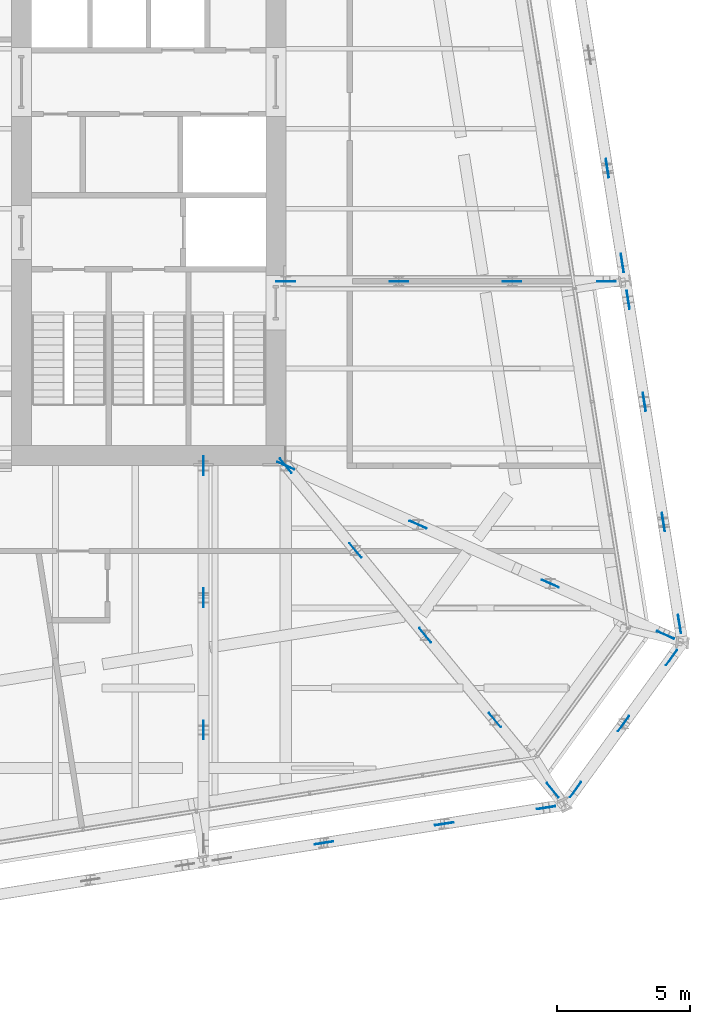
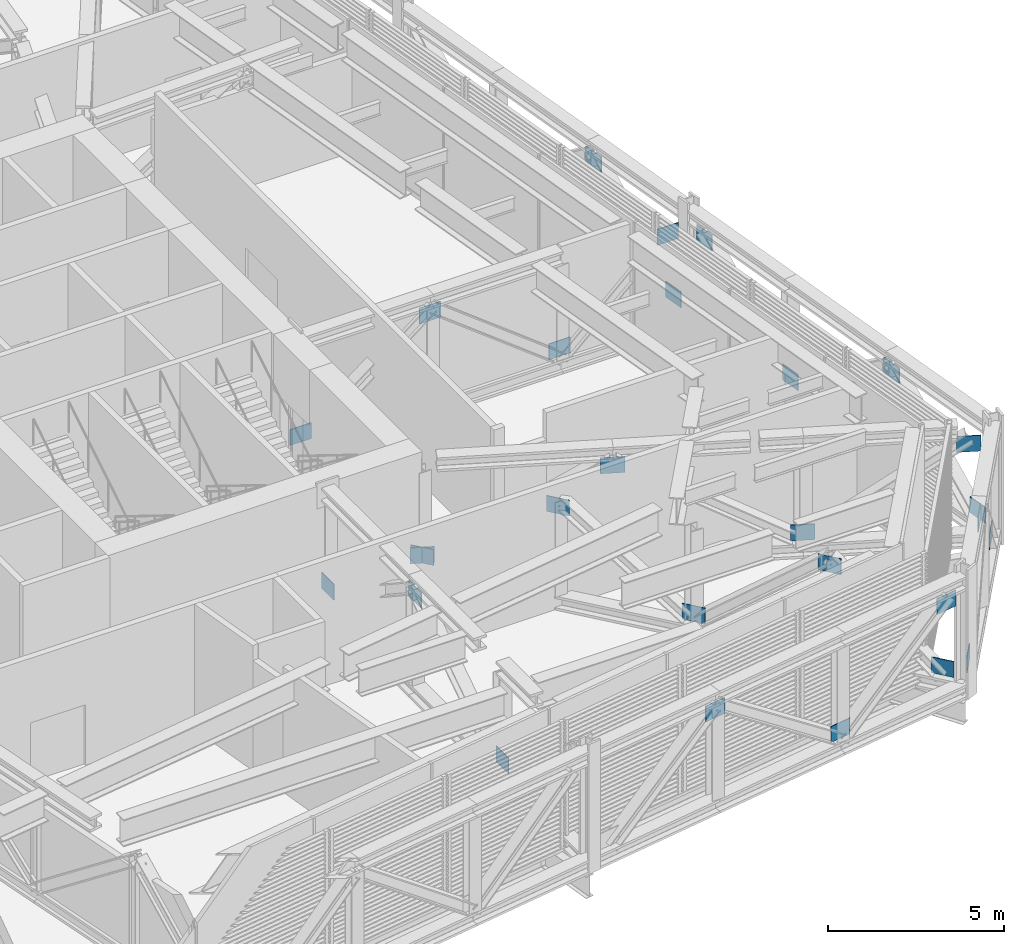
# One storey, part 28 of 31: 28 discrete accessories.
"""IFC4 building model written with IfcOpenShell, lengths in metres."""

from ifc_helpers import new_model, si_unit, direction, frame, origin, origin_2d, place, context, subcontext, project, spatial, rectangle, extrude, material, layer, layer_set, type_object, element, save


model = new_model("IFC4")

# Units and contexts
model_context = context("Model", 3, precision=1e-05, world=origin(), true_north=direction((0.0, 1.0)))
body_context = subcontext(model_context, "Body", "Model", "MODEL_VIEW")
ifc_project = project(units=[si_unit("LENGTHUNIT", "METRE"), si_unit("AREAUNIT", "SQUARE_METRE"), si_unit("VOLUMEUNIT", "CUBIC_METRE"), si_unit("PLANEANGLEUNIT", "RADIAN"), si_unit("MASSUNIT", "GRAM", prefix="KILO")], contexts=[model_context])

# Site, building, storey
site_placement = place(None, origin())
site = spatial("IfcSite", under=ifc_project, at=site_placement, CompositionType="ELEMENT")
building_placement = place(site_placement, origin())
building = spatial("IfcBuilding", under=site, at=building_placement, Name="Millrace Tower", CompositionType="ELEMENT")
storey_placement = place(building_placement, frame((0.0, 0.0, 195.60009765625)))
storey = spatial("IfcBuildingStorey", under=building, at=storey_placement, Name="L44", CompositionType="ELEMENT", Elevation=195.60009765625)

# Discrete accessories
ifc_material = material(Name="Steel ASTM A572 Grade 50", Category="steel")
ifc_layer = layer(ifc_material, 0.02490234375)
ifc_layer_set = layer_set([ifc_layer], Name="Steel ASTM A572 Grade 50")
discrete_accessory_type = type_object("IfcDiscreteAccessoryType", Name="Truss gusset plate 700x550x25", PredefinedType="BRACKET", material=ifc_layer_set)
for number, where, z_axis, x_axis, name in (
    (1, (15.73388671875, -23.865966796875, 3.482421875), (0.987663796475, 0.156589351913, 0.0), (-0.156589351913, 0.987663796475, 0.0), "Truss gusset plate BLT-L44-R04-D01 head"),
    (2, (20.253662109375, -23.150146484375, 0.757568359375), (0.987663796475, 0.156589351913, 0.0), (-0.156589351913, 0.987663796475, 0.0), "Truss gusset plate BLT-L44-R04-D02 foot"),
    (3, (24.08203125, -22.543701171875, 3.482421875), (0.987663796475, 0.156589351913, 0.0), (-0.156589351913, 0.987663796475, 0.0), "Truss gusset plate BLT-L44-R04-D03 head"),
    (4, (25.32470703125, -22.09619140625, 0.757568359375), (0.588047260207, 0.808826569644, 0.0), (-0.808826569644, 0.588047260207, 0.0), "Truss gusset plate BLT-L44-R05-D01 foot"),
):
    element("IfcDiscreteAccessory", number, at=place(storey_placement, frame(where, z_axis=z_axis, x_axis=x_axis)), inside=storey, type_object=discrete_accessory_type, Name=name, PredefinedType="BRACKET", context=body_context, shape_type="SweptSolid", body=[
        extrude(rectangle(XDim=0.02490234375, YDim=0.550048828125, at=origin_2d()), origin(), (0.0, 0.0, 1.0), 0.699951171875),
    ])
discrete_accessory_1_placement = place(storey_placement, frame((27.125, -19.618408203125, 3.482421875), z_axis=(0.587881403835, 0.80894712746, 0.0), x_axis=(-0.80894712746, 0.587881403835, 0.0)))
element("IfcDiscreteAccessory", 5, at=discrete_accessory_1_placement, inside=storey, type_object=discrete_accessory_type, Name="Truss gusset plate BLT-L44-R05-D01 head", PredefinedType="BRACKET", context=body_context, shape_type="SweptSolid", body=[
    extrude(rectangle(XDim=0.02490234375, YDim=0.550048828125, at=origin_2d()), origin(), (0.0, 0.0, 1.0), 0.7001953125),
])
for number, where, z_axis, x_axis, name in (
    (6, (28.925537109375, -17.140380859375, 0.757568359375), (0.587819016355, 0.808992462271, 0.0), (-0.808992462271, 0.587819016355, 0.0), "Truss gusset plate BLT-L44-R05-D02 foot"),
    (7, (29.37841796875, -15.25390625, 0.757568359375), (0.156249124184, -0.987717677878, 0.0), (0.987717677878, 0.156249124184, 0.0), "Truss gusset plate BLT-L44-R06-D01 foot"),
    (8, (28.77197265625, -11.42529296875, 3.482421875), (0.156589351913, -0.987663796475, 0.0), (0.987663796475, 0.156589351913, 0.0), "Truss gusset plate BLT-L44-R06-D01 head"),
    (9, (28.05615234375, -6.905517578125, 0.757568359375), (0.156589351913, -0.987663796475, 0.0), (0.987663796475, 0.156589351913, 0.0), "Truss gusset plate BLT-L44-R06-D02 foot"),
    (10, (27.44970703125, -3.0771484375, 3.482421875), (0.156589351913, -0.987663796475, 0.0), (0.987663796475, 0.156589351913, 0.0), "Truss gusset plate BLT-L44-R06-D03 head"),
    (11, (27.230712890625, -1.6943359375, 0.757568359375), (0.156589351913, -0.987663796475, 0.0), (0.987663796475, 0.156589351913, 0.0), "Truss gusset plate BLT-L44-R07-D01 foot"),
):
    element("IfcDiscreteAccessory", number, at=place(storey_placement, frame(where, z_axis=z_axis, x_axis=x_axis)), inside=storey, type_object=discrete_accessory_type, Name=name, PredefinedType="BRACKET", context=body_context, shape_type="SweptSolid", body=[
        extrude(rectangle(XDim=0.02490234375, YDim=0.550048828125, at=origin_2d()), origin(), (0.0, 0.0, 1.0), 0.699951171875),
    ])
discrete_accessory_2_placement = place(storey_placement, frame((26.66748046875, 1.861083984375, 3.482421875), z_axis=(0.156643307321, -0.987655240593, 0.0), x_axis=(0.987655240593, 0.156643307321, 0.0)))
element("IfcDiscreteAccessory", 12, at=discrete_accessory_2_placement, inside=storey, type_object=discrete_accessory_type, Name="Truss gusset plate BLT-L44-R07-D01 head", PredefinedType="BRACKET", context=body_context, shape_type="SweptSolid", body=[
    extrude(rectangle(XDim=0.02490234375, YDim=0.550048828125, at=origin_2d()), origin(), (0.0, 0.0, 1.0), 0.69970703125),
])
for number, where, z_axis, x_axis, name in (
    (13, (11.559814453125, -10.0, 0.757568359375), (0.0, 1.0, 0.0), (-1.0, 0.0, 0.0), "Truss gusset plate BLT-L44-O04-D01 foot"),
    (14, (11.559814453125, -14.958984375, 3.482421875), (0.0, 1.0, 0.0), (-1.0, 0.0, 0.0), "Truss gusset plate BLT-L44-O04-D01 head"),
    (15, (11.559814453125, -19.91796875, 0.757568359375), (0.0, 1.0, 0.0), (-1.0, 0.0, 0.0), "Truss gusset plate BLT-L44-O04-D02 foot"),
    (16, (14.427734375, -9.379638671875, 0.757568359375), (0.635059159829, -0.772463503032, 0.0), (0.772463503032, 0.635059159829, 0.0), "Truss gusset plate BLT-L44-O05-D01 foot"),
    (17, (17.044921875, -12.56201171875, 3.482421875), (0.635059159829, -0.772463503032, 0.0), (0.772463503032, 0.635059159829, 0.0), "Truss gusset plate BLT-L44-O05-D01 head"),
    (18, (19.662109375, -15.744384765625, 0.757568359375), (0.635438274613, -0.772151668493, 0.0), (0.772151668493, 0.635438274613, 0.0), "Truss gusset plate BLT-L44-O05-D02 foot"),
    (19, (22.279541015625, -18.9267578125, 3.482421875), (0.635230269219, -0.77232279849, 0.0), (0.77232279849, 0.635230269219, 0.0), "Truss gusset plate BLT-L44-O05-D03 head"),
    (20, (24.4521484375, -21.568603515625, 0.757568359375), (0.635230269219, -0.77232279849, 0.0), (0.77232279849, 0.635230269219, 0.0), "Truss gusset plate BLT-L44-O05-D04 foot"),
    (21, (14.330322265625, -9.507568359375, 0.757568359375), (0.913422812165, -0.407011997632, 0.0), (0.407011997632, 0.913422812165, 0.0), "Truss gusset plate BLT-L44-O06-D01 foot"),
):
    element("IfcDiscreteAccessory", number, at=place(storey_placement, frame(where, z_axis=z_axis, x_axis=x_axis)), inside=storey, type_object=discrete_accessory_type, Name=name, PredefinedType="BRACKET", context=body_context, shape_type="SweptSolid", body=[
        extrude(rectangle(XDim=0.02490234375, YDim=0.550048828125, at=origin_2d()), origin(), (0.0, 0.0, 1.0), 0.699951171875),
    ])
discrete_accessory_3_placement = place(storey_placement, frame((19.294677734375, -11.72119140625, 3.482421875), z_axis=(0.913365008105, -0.407141697654, 0.0), x_axis=(0.407141697654, 0.913365008105, 0.0)))
element("IfcDiscreteAccessory", 22, at=discrete_accessory_3_placement, inside=storey, type_object=discrete_accessory_type, Name="Truss gusset plate BLT-L44-O06-D01 head", PredefinedType="BRACKET", context=body_context, shape_type="SweptSolid", body=[
    extrude(rectangle(XDim=0.02490234375, YDim=0.550048828125, at=origin_2d()), origin(), (0.0, 0.0, 1.0), 0.69970703125),
])
for number, where, z_axis, x_axis, name in (
    (23, (24.2587890625, -13.934814453125, 0.757568359375), (0.913422812165, -0.407011997632, 0.0), (0.407011997632, 0.913422812165, 0.0), "Truss gusset plate BLT-L44-O06-D02 foot"),
    (24, (28.583740234375, -15.86328125, 3.482421875), (0.913235242932, -0.407432682866, 0.0), (0.407432682866, 0.913235242932, 0.0), "Truss gusset plate BLT-L44-O06-D03 head"),
    (25, (14.300048828125, -2.7314453125, 0.757568359375), (1.0, 0.0, 0.0), (0.0, 1.0, 0.0), "Truss gusset plate BLT-L44-O07-D01 foot"),
    (26, (18.54833984375, -2.7314453125, 3.482421875), (1.0, 0.0, 0.0), (0.0, 1.0, 0.0), "Truss gusset plate BLT-L44-O07-D01 head"),
    (27, (22.796630859375, -2.7314453125, 0.757568359375), (1.0, 0.0, 0.0), (0.0, 1.0, 0.0), "Truss gusset plate BLT-L44-O07-D02 foot"),
    (28, (26.34521484375, -2.7314453125, 3.482421875), (1.0, 0.0, 0.0), (0.0, 1.0, 0.0), "Truss gusset plate BLT-L44-O07-D03 head"),
):
    element("IfcDiscreteAccessory", number, at=place(storey_placement, frame(where, z_axis=z_axis, x_axis=x_axis)), inside=storey, type_object=discrete_accessory_type, Name=name, PredefinedType="BRACKET", context=body_context, shape_type="SweptSolid", body=[
        extrude(rectangle(XDim=0.02490234375, YDim=0.550048828125, at=origin_2d()), origin(), (0.0, 0.0, 1.0), 0.699951171875),
    ])

save(model, "model.ifc")
